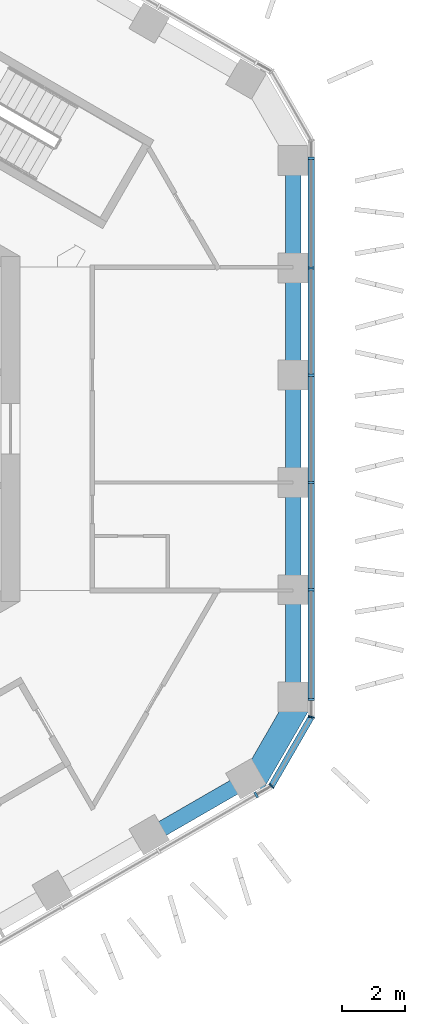
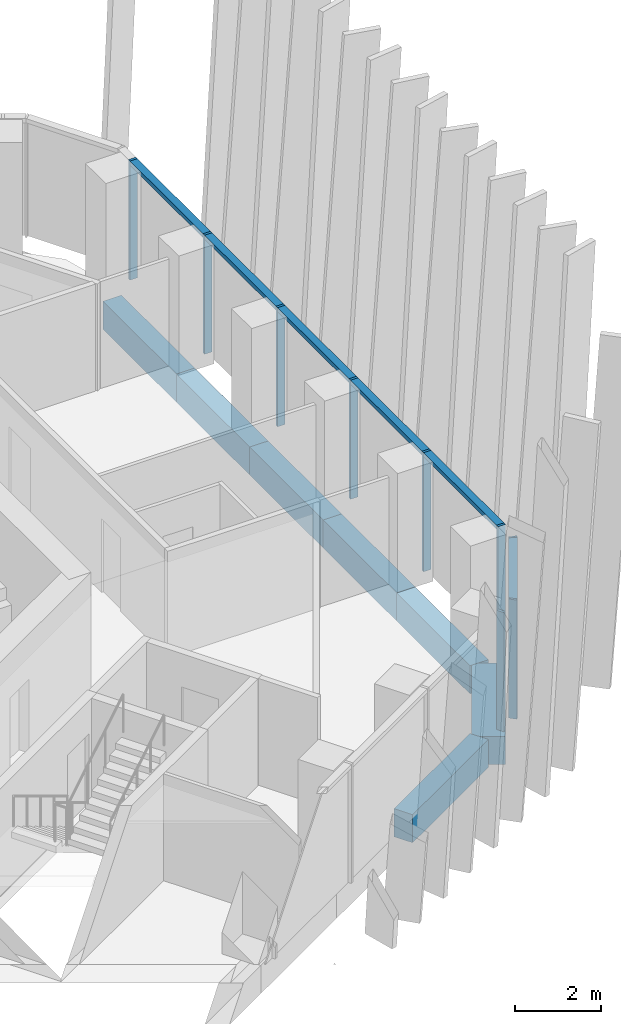
# One storey, part 5 of 20: 11 members, 7 beams, 3 elements without a shape of their own.
"""IFC4 building model written with IfcOpenShell, lengths in metres."""

from ifc_helpers import new_model, si_unit, direction, frame, origin, origin_2d, place, context, subcontext, project, spatial, rectangle, extrude, material, layer, layer_set, material_profile, profile_set, type_object, element, aggregate, save


model = new_model("IFC4")

# Units and contexts
model_context = context("Model", 3, precision=1e-05, world=origin(), true_north=direction((0.0, 1.0)))
body_context = subcontext(model_context, "Body", "Model", "MODEL_VIEW")
ifc_project = project(units=[si_unit("LENGTHUNIT", "METRE"), si_unit("AREAUNIT", "SQUARE_METRE"), si_unit("VOLUMEUNIT", "CUBIC_METRE"), si_unit("PLANEANGLEUNIT", "RADIAN"), si_unit("MASSUNIT", "GRAM", prefix="KILO")], contexts=[model_context])

# Site, building, storey
site_placement = place(None, origin())
site = spatial("IfcSite", under=ifc_project, at=site_placement, CompositionType="ELEMENT")
building_placement = place(site_placement, origin())
building = spatial("IfcBuilding", under=site, at=building_placement, Name="Ayvan Gate Tower", CompositionType="ELEMENT")
storey_placement = place(building_placement, frame((0.0, 0.0, 162.89990234375)))
storey = spatial("IfcBuildingStorey", under=building, at=storey_placement, Name="L43", CompositionType="ELEMENT", Elevation=162.89990234375)

# Beams
ifc_material_1 = material(Name="Concrete C40/50", Category="concrete")
ifc_material_profile_1 = material_profile(ifc_material_1, rectangle(XDim=0.800048828125, YDim=0.800048828125, at=origin_2d()), Name="RC 800x800")
ifc_profile_set_1 = profile_set([ifc_material_profile_1], Name="Concrete C40/50")
beam_type_1 = type_object("IfcBeamType", Name="Corner spandrel beam RC 800x800 C40/50", PredefinedType="BEAM", material=ifc_profile_set_1)
beam_1_placement = place(storey_placement, frame((16.876953125, -11.28564453125, -0.75), z_axis=(0.499990139034, 0.866031096941, 0.0), x_axis=(-0.866031096941, 0.499990139034, 0.0)))
element("IfcBeam", 1, at=beam_1_placement, inside=storey, type_object=beam_type_1, Name="SB-L43-36", PredefinedType="BEAM", context=body_context, shape_type="SweptSolid", body=[
    extrude(rectangle(XDim=0.800048828125, YDim=0.800048828125, at=origin_2d()), origin(), (0.0, 0.0, 1.0), 3.0),
])
ifc_material_profile_2 = material_profile(ifc_material_1, rectangle(XDim=0.5, YDim=0.800048828125, at=origin_2d()), Name="RC 500x800")
ifc_profile_set_2 = profile_set([ifc_material_profile_2], Name="Concrete C40/50")
beam_type_2 = type_object("IfcBeamType", Name="Spandrel beam RC 500x800 C40/50", PredefinedType="BEAM", material=ifc_profile_set_2)
for number, where, z_axis, x_axis, name in (
    (2, (18.1865234375, -8.577392578125, -0.75), (0.0, 1.0, 0.0), (-1.0, 0.0, 0.0), "SB-L43-1"),
    (3, (18.1865234375, -5.146484375, -0.75), (0.0, 1.0, 0.0), (-1.0, 0.0, 0.0), "SB-L43-2"),
):
    element("IfcBeam", number, at=place(storey_placement, frame(where, z_axis=z_axis, x_axis=x_axis)), inside=storey, type_object=beam_type_2, Name=name, PredefinedType="BEAM", context=body_context, shape_type="SweptSolid", body=[
        extrude(rectangle(XDim=0.5, YDim=0.800048828125, at=origin_2d()), origin(), (0.0, 0.0, 1.0), 3.430908203125),
    ])
beam_2_placement = place(storey_placement, frame((18.1865234375, -1.715576171875, -0.75), z_axis=(0.0, 1.0, 0.0), x_axis=(-1.0, 0.0, 0.0)))
element("IfcBeam", 4, at=beam_2_placement, inside=storey, type_object=beam_type_2, Name="SB-L43-3", PredefinedType="BEAM", context=body_context, shape_type="SweptSolid", body=[
    extrude(rectangle(XDim=0.5, YDim=0.800048828125, at=origin_2d()), origin(), (0.0, 0.0, 1.0), 3.43115234375),
])
for number, where, z_axis, x_axis, name in (
    (5, (18.1865234375, 1.715576171875, -0.75), (0.0, 1.0, 0.0), (-1.0, 0.0, 0.0), "SB-L43-4"),
    (6, (18.1865234375, 5.146484375, -0.75), (0.0, 1.0, 0.0), (-1.0, 0.0, 0.0), "SB-L43-5"),
):
    element("IfcBeam", number, at=place(storey_placement, frame(where, z_axis=z_axis, x_axis=x_axis)), inside=storey, type_object=beam_type_2, Name=name, PredefinedType="BEAM", context=body_context, shape_type="SweptSolid", body=[
        extrude(rectangle(XDim=0.5, YDim=0.800048828125, at=origin_2d()), origin(), (0.0, 0.0, 1.0), 3.430908203125),
    ])
beam_3_placement = place(storey_placement, frame((13.6162109375, -12.9482421875, -0.75), z_axis=(0.866018157372, 0.500012550944, 0.0), x_axis=(-0.500012550944, 0.866018157372, 0.0)))
element("IfcBeam", 7, at=beam_3_placement, inside=storey, type_object=beam_type_2, Name="SB-L43-35", PredefinedType="BEAM", context=body_context, shape_type="SweptSolid", body=[
    extrude(rectangle(XDim=0.5, YDim=0.800048828125, at=origin_2d()), origin(), (0.0, 0.0, 1.0), 3.54541015625),
])

# Curtain wall, member
ifc_material_2 = material(Name="Bronze anodised aluminium", Category="aluminium")
ifc_layer_1 = layer(ifc_material_2, 0.199951171875)
ifc_layer_set_1 = layer_set([ifc_layer_1], Name="Bronze anodised aluminium")
curtain_wall_type_1 = type_object("IfcCurtainWallType", Name="Stick curtain wall CW-2", PredefinedType="NOTDEFINED", material=ifc_layer_set_1)
curtain_wall_1_placement = place(storey_placement, origin())
curtain_wall_1 = element("IfcCurtainWall", 8, at=curtain_wall_1_placement, inside=storey, type_object=curtain_wall_type_1, Name="Stick curtain wall CW-2 L43", PredefinedType="NOTDEFINED")
ifc_material_profile_3 = material_profile(ifc_material_2, rectangle(XDim=0.199951171875, YDim=0.070068359375, at=origin_2d()), Name="Stick curtain wall CW-2 mullion 200 x 70")
ifc_profile_set_3 = profile_set([ifc_material_profile_3], Name="Bronze anodised aluminium")
member_type_1 = type_object("IfcMemberType", Name="Stick curtain wall CW-2 mullion 200 x 70", PredefinedType="MULLION", material=ifc_profile_set_3)
member_1_placement = place(storey_placement, frame((17.00927734375, -11.637939453125, 0.0), z_axis=(0.0, 0.0, 1.0), x_axis=(0.5, -0.866025403784, 0.0)))
member_1 = element("IfcMember", 9, at=member_1_placement, type_object=member_type_1, Name="CW-2 mullion 6", PredefinedType="MULLION", context=body_context, shape_type="SweptSolid", body=[
    extrude(rectangle(XDim=0.199951171875, YDim=0.070068359375, at=origin_2d()), origin(), (0.0, 0.0, 1.0), 3.400146484375),
])
aggregate(curtain_wall_1, [member_1])

# Curtain wall, members
curtain_wall_2_placement = place(storey_placement, origin())
curtain_wall_2 = element("IfcCurtainWall", 10, at=curtain_wall_2_placement, inside=storey, type_object=curtain_wall_type_1, Name="Stick curtain wall CW-2 L43", PredefinedType="NOTDEFINED")
member_2_placement = place(storey_placement, frame((18.761474609375, -8.60302734375, 0.0), z_axis=(0.0, 0.0, 1.0), x_axis=(1.0, 0.0, 0.0)))
member_2 = element("IfcMember", 11, at=member_2_placement, type_object=member_type_1, Name="CW-2 mullion 1", PredefinedType="MULLION", context=body_context, shape_type="SweptSolid", body=[
    extrude(rectangle(XDim=0.199951171875, YDim=0.070068359375, at=origin_2d()), origin(), (0.0, 0.0, 1.0), 3.400146484375),
])
member_3_placement = place(storey_placement, frame((18.761474609375, -5.116943359375, 0.0), z_axis=(0.0, 0.0, 1.0), x_axis=(1.0, 0.0, 0.0)))
member_3 = element("IfcMember", 12, at=member_3_placement, type_object=member_type_1, Name="CW-2 mullion 2", PredefinedType="MULLION", context=body_context, shape_type="SweptSolid", body=[
    extrude(rectangle(XDim=0.199951171875, YDim=0.070068359375, at=origin_2d()), origin(), (0.0, 0.0, 1.0), 3.400146484375),
])
member_4_placement = place(storey_placement, frame((18.761474609375, -1.7060546875, 0.0), z_axis=(0.0, 0.0, 1.0), x_axis=(1.0, 0.0, 0.0)))
member_4 = element("IfcMember", 13, at=member_4_placement, type_object=member_type_1, Name="CW-2 mullion 3", PredefinedType="MULLION", context=body_context, shape_type="SweptSolid", body=[
    extrude(rectangle(XDim=0.199951171875, YDim=0.070068359375, at=origin_2d()), origin(), (0.0, 0.0, 1.0), 3.400146484375),
])
member_5_placement = place(storey_placement, frame((18.761474609375, 1.7060546875, 0.0), z_axis=(0.0, 0.0, 1.0), x_axis=(1.0, 0.0, 0.0)))
member_5 = element("IfcMember", 14, at=member_5_placement, type_object=member_type_1, Name="CW-2 mullion 4", PredefinedType="MULLION", context=body_context, shape_type="SweptSolid", body=[
    extrude(rectangle(XDim=0.199951171875, YDim=0.070068359375, at=origin_2d()), origin(), (0.0, 0.0, 1.0), 3.400146484375),
])
member_6_placement = place(storey_placement, frame((18.761474609375, 5.116943359375, 0.0), z_axis=(0.0, 0.0, 1.0), x_axis=(1.0, 0.0, 0.0)))
member_6 = element("IfcMember", 15, at=member_6_placement, type_object=member_type_1, Name="CW-2 mullion 5", PredefinedType="MULLION", context=body_context, shape_type="SweptSolid", body=[
    extrude(rectangle(XDim=0.199951171875, YDim=0.070068359375, at=origin_2d()), origin(), (0.0, 0.0, 1.0), 3.400146484375),
])
member_7_placement = place(storey_placement, frame((18.761474609375, 8.60302734375, 0.0), z_axis=(0.0, 0.0, 1.0), x_axis=(1.0, 0.0, 0.0)))
member_7 = element("IfcMember", 16, at=member_7_placement, type_object=member_type_1, Name="CW-2 mullion 6", PredefinedType="MULLION", context=body_context, shape_type="SweptSolid", body=[
    extrude(rectangle(XDim=0.199951171875, YDim=0.070068359375, at=origin_2d()), origin(), (0.0, 0.0, 1.0), 3.400146484375),
])
ifc_material_profile_4 = material_profile(ifc_material_2, rectangle(XDim=0.199951171875, YDim=0.1201171875, at=origin_2d()), Name="Stick curtain wall CW-2 transom 200 x 120")
ifc_profile_set_4 = profile_set([ifc_material_profile_4], Name="Bronze anodised aluminium")
member_type_2 = type_object("IfcMemberType", Name="Stick curtain wall CW-2 transom 200 x 120", PredefinedType="USERDEFINED", material=ifc_profile_set_4)
member_8_placement = place(storey_placement, frame((18.761474609375, -8.60302734375, 3.340087890625), z_axis=(0.0, 1.0, 0.0), x_axis=(-1.0, 0.0, 0.0)))
member_8 = element("IfcMember", 17, at=member_8_placement, type_object=member_type_2, Name="CW-2 transom 1", ObjectType="TRANSOM", PredefinedType="USERDEFINED", context=body_context, shape_type="SweptSolid", body=[
    extrude(rectangle(XDim=0.199951171875, YDim=0.1201171875, at=origin_2d()), origin(), (0.0, 0.0, 1.0), 17.2060546875),
])
aggregate(curtain_wall_2, [member_2, member_3, member_4, member_5, member_6, member_7, member_8])

ifc_layer_2 = layer(ifc_material_2, 0.199951171875)
ifc_layer_set_2 = layer_set([ifc_layer_2], Name="Bronze anodised aluminium")
curtain_wall_type_2 = type_object("IfcCurtainWallType", Name="Stick curtain wall CW-6", PredefinedType="NOTDEFINED", material=ifc_layer_set_2)
curtain_wall_3_placement = place(storey_placement, origin())
curtain_wall_3 = element("IfcCurtainWall", 18, at=curtain_wall_3_placement, inside=storey, type_object=curtain_wall_type_2, Name="Stick curtain wall CW-6 L43", PredefinedType="NOTDEFINED")
ifc_material_profile_5 = material_profile(ifc_material_2, rectangle(XDim=0.199951171875, YDim=0.050048828125, at=origin_2d()), Name="Stick curtain wall CW-6 mullion 200 x 50")
ifc_profile_set_5 = profile_set([ifc_material_profile_5], Name="Bronze anodised aluminium")
member_type_3 = type_object("IfcMemberType", Name="Stick curtain wall CW-6 mullion 200 x 50", PredefinedType="MULLION", material=ifc_profile_set_5)
member_9_placement = place(storey_placement, frame((17.494140625, -11.358154296875, 0.0), z_axis=(0.0, 0.0, 1.0), x_axis=(0.707106781187, -0.707106781187, 0.0)))
member_9 = element("IfcMember", 19, at=member_9_placement, type_object=member_type_3, Name="CW-6 mullion 2", PredefinedType="MULLION", context=body_context, shape_type="SweptSolid", body=[
    extrude(rectangle(XDim=0.199951171875, YDim=0.050048828125, at=origin_2d()), origin(), (0.0, 0.0, 1.0), 3.400146484375),
])
member_10_placement = place(storey_placement, frame((18.761474609375, -9.1630859375, 0.0), z_axis=(0.0, 0.0, 1.0), x_axis=(0.965925826289, -0.258819045103, 0.0)))
member_10 = element("IfcMember", 20, at=member_10_placement, type_object=member_type_3, Name="CW-6 mullion 3", PredefinedType="MULLION", context=body_context, shape_type="SweptSolid", body=[
    extrude(rectangle(XDim=0.199951171875, YDim=0.050048828125, at=origin_2d()), origin(), (0.0, 0.0, 1.0), 3.400146484375),
])
ifc_material_profile_6 = material_profile(ifc_material_2, rectangle(XDim=0.199951171875, YDim=0.1201171875, at=origin_2d()), Name="Stick curtain wall CW-6 transom 200 x 120")
ifc_profile_set_6 = profile_set([ifc_material_profile_6], Name="Bronze anodised aluminium")
member_type_4 = type_object("IfcMemberType", Name="Stick curtain wall CW-6 transom 200 x 120", PredefinedType="USERDEFINED", material=ifc_profile_set_6)
member_11_placement = place(storey_placement, frame((17.5068359375, -11.33642578125, 3.340087890625), z_axis=(0.499986149909, 0.86603339999, 0.0), x_axis=(-0.86603339999, 0.499986149909, 0.0)))
member_11 = element("IfcMember", 21, at=member_11_placement, type_object=member_type_4, Name="CW-6 transom 2", ObjectType="TRANSOM", PredefinedType="USERDEFINED", context=body_context, shape_type="SweptSolid", body=[
    extrude(rectangle(XDim=0.199951171875, YDim=0.1201171875, at=origin_2d()), origin(), (0.0, 0.0, 1.0), 2.484375),
])
aggregate(curtain_wall_3, [member_9, member_10, member_11])

save(model, "model.ifc")
